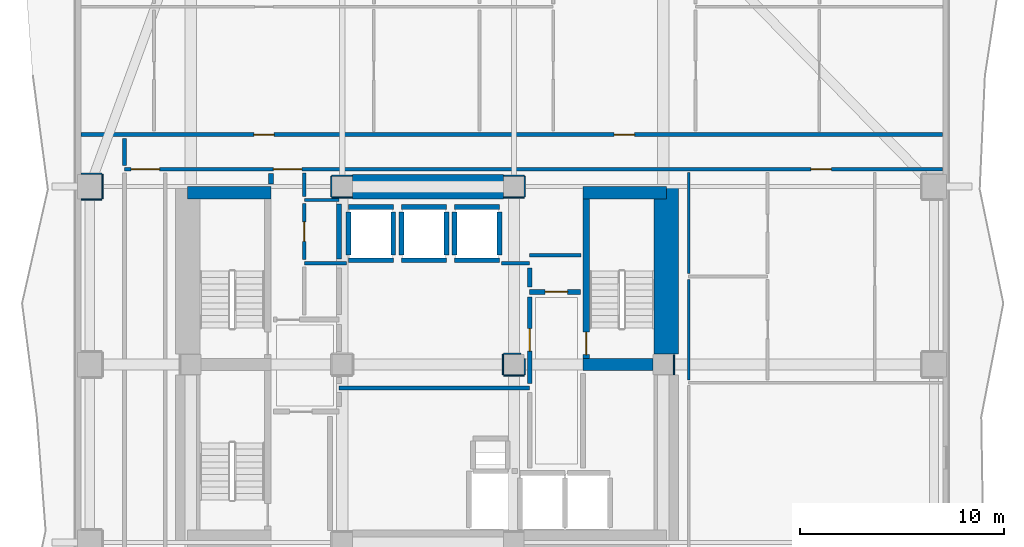
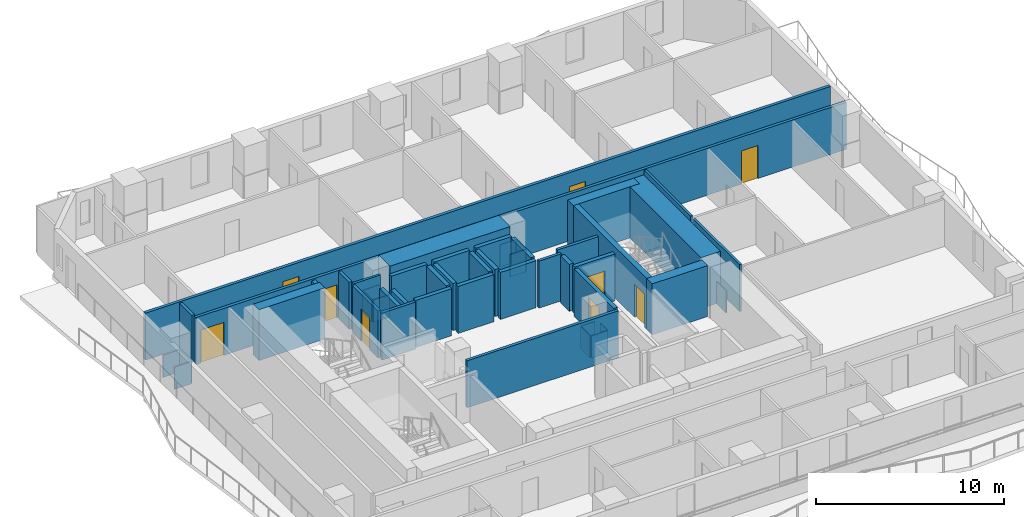
# One storey, part 4 of 11: 49 walls, 9 doors, 9 openings.
"""IFC4 building model written with IfcOpenShell, lengths in metres."""

from ifc_helpers import new_model, si_unit, direction, frame, frame_2d, origin, place, context, subcontext, project, spatial, rectangle, extrude, material, layer, layer_set, type_object, element, fill, save


model = new_model("IFC4")

# Units and contexts
model_context = context("Model", 3, precision=1e-05, world=origin(), true_north=direction((0.0, 1.0)))
body_context = subcontext(model_context, "Body", "Model", "MODEL_VIEW")
ifc_project = project(units=[si_unit("LENGTHUNIT", "METRE"), si_unit("AREAUNIT", "SQUARE_METRE"), si_unit("VOLUMEUNIT", "CUBIC_METRE"), si_unit("PLANEANGLEUNIT", "RADIAN"), si_unit("MASSUNIT", "GRAM", prefix="KILO")], contexts=[model_context])

# Site, building, storey
site_placement = place(None, origin())
site = spatial("IfcSite", under=ifc_project, at=site_placement, CompositionType="ELEMENT")
building_placement = place(site_placement, origin())
building = spatial("IfcBuilding", under=site, at=building_placement, Name="Solanera Arch Residences", CompositionType="ELEMENT")
storey_placement = place(building_placement, frame((0.0, 0.0, 75.1201171875)))
storey = spatial("IfcBuildingStorey", under=building, at=storey_placement, Name="L21", CompositionType="ELEMENT", Elevation=75.1201171875)

# Walls
ifc_material_1 = material(Name="Fire-Rated Gypsum Stud Partition", Category="gypsum")
ifc_layer_1 = layer(ifc_material_1, 0.06005859375)
ifc_layer_set_1 = layer_set([ifc_layer_1], Name="Fire-Rated Gypsum Stud Partition")
wall_type_1 = type_object("IfcWallType", Name="Column Acoustic Furring Wall 60", PredefinedType="PARTITIONING", material=ifc_layer_set_1)
for number, where, z_axis, x_axis, name in (
    (1, (20.300048828125, 38.867919921875, 0.0), (0.0, 0.0, 1.0), (1.0, 0.0, 0.0), "L21 Column Furring 3S"),
    (2, (20.300048828125, 39.931884765625, 0.0), (0.0, 0.0, 1.0), (1.0, 0.0, 0.0), "L21 Column Furring 3N"),
):
    element("IfcWall", number, at=place(storey_placement, frame(where, z_axis=z_axis, x_axis=x_axis)), inside=storey, type_object=wall_type_1, Name=name, PredefinedType="PARTITIONING", context=body_context, shape_type="SweptSolid", body=[
        extrude(rectangle(XDim=0.989990234375, YDim=0.06005859375, at=frame_2d((0.4951171875, 0.0))), origin(), (0.0, 0.0, 1.0), 1.449951171875),
    ])
wall_1_placement = place(storey_placement, frame((20.26806640625, 38.89990234375, 0.0), z_axis=(0.0, 0.0, 1.0), x_axis=(0.0, 1.0, 0.0)))
element("IfcWall", 3, at=wall_1_placement, inside=storey, type_object=wall_type_1, Name="L21 Column Furring 3W", PredefinedType="PARTITIONING", context=body_context, shape_type="SweptSolid", body=[
    extrude(rectangle(XDim=1.0, YDim=0.06005859375, at=frame_2d((0.5, 0.0))), origin(), (0.0, 0.0, 1.0), 1.449951171875),
])
for number, where, z_axis, x_axis, name in (
    (4, (28.7099609375, 38.867919921875, 0.0), (0.0, 0.0, 1.0), (1.0, 0.0, 0.0), "L21 Column Furring 4S"),
    (5, (28.7099609375, 39.931884765625, 0.0), (0.0, 0.0, 1.0), (1.0, 0.0, 0.0), "L21 Column Furring 4N"),
):
    element("IfcWall", number, at=place(storey_placement, frame(where, z_axis=z_axis, x_axis=x_axis)), inside=storey, type_object=wall_type_1, Name=name, PredefinedType="PARTITIONING", context=body_context, shape_type="SweptSolid", body=[
        extrude(rectangle(XDim=0.989990234375, YDim=0.06005859375, at=frame_2d((0.4951171875, 0.0))), origin(), (0.0, 0.0, 1.0), 1.449951171875),
    ])
wall_2_placement = place(storey_placement, frame((29.73193359375, 38.89990234375, 0.0), z_axis=(0.0, 0.0, 1.0), x_axis=(0.0, 1.0, 0.0)))
element("IfcWall", 6, at=wall_2_placement, inside=storey, type_object=wall_type_1, Name="L21 Column Furring 4E", PredefinedType="PARTITIONING", context=body_context, shape_type="SweptSolid", body=[
    extrude(rectangle(XDim=1.0, YDim=0.06005859375, at=frame_2d((0.5, 0.0))), origin(), (0.0, 0.0, 1.0), 1.449951171875),
])
wall_3_placement = place(storey_placement, frame((37.031982421875, 30.2099609375, 0.0), z_axis=(0.0, 0.0, 1.0), x_axis=(0.0, 1.0, 0.0)))
element("IfcWall", 7, at=wall_3_placement, inside=storey, type_object=wall_type_1, Name="L21 Column Furring 6E", PredefinedType="PARTITIONING", context=body_context, shape_type="SweptSolid", body=[
    extrude(rectangle(XDim=0.97998046875, YDim=0.06005859375, at=frame_2d((0.489990234375, 0.0))), origin(), (0.0, 0.0, 1.0), 1.449951171875),
])
wall_4_placement = place(storey_placement, frame((28.699951171875, 30.16796875, 0.0), z_axis=(0.0, 0.0, 1.0), x_axis=(1.0, 0.0, 0.0)))
element("IfcWall", 8, at=wall_4_placement, inside=storey, type_object=wall_type_1, Name="L21 Column Furring 8S", PredefinedType="PARTITIONING", context=body_context, shape_type="SweptSolid", body=[
    extrude(rectangle(XDim=1.0, YDim=0.06005859375, at=frame_2d((0.5, 0.0))), origin(), (0.0, 0.0, 1.0), 1.449951171875),
])
wall_5_placement = place(storey_placement, frame((28.699951171875, 31.23193359375, 0.0), z_axis=(0.0, 0.0, 1.0), x_axis=(1.0, 0.0, 0.0)))
element("IfcWall", 9, at=wall_5_placement, inside=storey, type_object=wall_type_1, Name="L21 Column Furring 8N", PredefinedType="PARTITIONING", context=body_context, shape_type="SweptSolid", body=[
    extrude(rectangle(XDim=0.841064453125, YDim=0.06005859375, at=frame_2d((0.42041015625, 0.0))), origin(), (0.0, 0.0, 1.0), 1.449951171875),
])
wall_6_placement = place(storey_placement, frame((28.66796875, 30.199951171875, 0.0), z_axis=(0.0, 0.0, 1.0), x_axis=(0.0, 1.0, 0.0)))
element("IfcWall", 10, at=wall_6_placement, inside=storey, type_object=wall_type_1, Name="L21 Column Furring 8W", PredefinedType="PARTITIONING", context=body_context, shape_type="SweptSolid", body=[
    extrude(rectangle(XDim=1.0, YDim=0.06005859375, at=frame_2d((0.5, 0.0))), origin(), (0.0, 0.0, 1.0), 1.449951171875),
])
wall_7_placement = place(storey_placement, frame((29.73193359375, 30.199951171875, 0.0), z_axis=(0.0, 0.0, 1.0), x_axis=(0.0, 1.0, 0.0)))
element("IfcWall", 11, at=wall_7_placement, inside=storey, type_object=wall_type_1, Name="L21 Column Furring 8E", PredefinedType="PARTITIONING", context=body_context, shape_type="SweptSolid", body=[
    extrude(rectangle(XDim=0.77197265625, YDim=0.06005859375, at=frame_2d((0.385986328125, 0.0))), origin(), (0.0, 0.0, 1.0), 1.449951171875),
])
for number, where, z_axis, x_axis, name in (
    (12, (8.030029296875, 38.76806640625, 0.0), (0.0, 0.0, 1.0), (1.0, 0.0, 0.0), "L21 Column Furring 21S"),
    (13, (8.030029296875, 40.031982421875, 0.0), (0.0, 0.0, 1.0), (1.0, 0.0, 0.0), "L21 Column Furring 21N"),
):
    element("IfcWall", number, at=place(storey_placement, frame(where, z_axis=z_axis, x_axis=x_axis)), inside=storey, type_object=wall_type_1, Name=name, PredefinedType="PARTITIONING", context=body_context, shape_type="SweptSolid", body=[
        extrude(rectangle(XDim=1.02001953125, YDim=0.06005859375, at=frame_2d((0.510009765625, 0.0))), origin(), (0.0, 0.0, 1.0), 1.449951171875),
    ])
wall_8_placement = place(storey_placement, frame((9.08203125, 38.800048828125, 0.0), z_axis=(0.0, 0.0, 1.0), x_axis=(0.0, 1.0, 0.0)))
element("IfcWall", 14, at=wall_8_placement, inside=storey, type_object=wall_type_1, Name="L21 Column Furring 21E", PredefinedType="PARTITIONING", context=body_context, shape_type="SweptSolid", body=[
    extrude(rectangle(XDim=1.199951171875, YDim=0.06005859375, at=frame_2d((0.60009765625, 0.0))), origin(), (0.0, 0.0, 1.0), 1.449951171875),
])
ifc_material_2 = material(Name="Concrete C55/67 (f'c = 60 MPa)", Category="concrete")
ifc_layer_2 = layer(ifc_material_2, 1.199951171875)
ifc_layer_set_2 = layer_set([ifc_layer_2], Name="Concrete C55/67 (f'c = 60 MPa)")
wall_type_2 = type_object("IfcWallType", Name="Core Shear Wall CW-1200", PredefinedType="SHEAR", material=ifc_layer_set_2)
wall_9_placement = place(storey_placement, frame((36.659912109375, 31.205078125, 0.0), z_axis=(0.0, 0.0, 1.0), x_axis=(0.0, 1.0, 0.0)))
element("IfcWall", 15, at=wall_9_placement, inside=storey, type_object=wall_type_2, Name="L21 East Core North Shear Wall", PredefinedType="SHEAR", context=body_context, shape_type="SweptSolid", body=[
    extrude(rectangle(XDim=8.19482421875, YDim=1.199951171875, at=frame_2d((4.097412109375, 0.0))), origin(), (0.0, 0.0, 1.0), 3.31982421875),
])
wall_10_placement = place(storey_placement, frame((21.304931640625, 39.39990234375, 0.0), z_axis=(0.0, 0.0, 1.0), x_axis=(1.0, 0.0, 0.0)))
element("IfcWall", 16, at=wall_10_placement, inside=storey, type_object=wall_type_2, Name="L21 Central North Core Shear Wall", PredefinedType="SHEAR", context=body_context, shape_type="SweptSolid", body=[
    extrude(rectangle(XDim=7.39013671875, YDim=1.199951171875, at=frame_2d((3.695068359375, 0.0))), origin(), (0.0, 0.0, 1.0), 3.31982421875),
])

# Wall, opening, door
ifc_material_3 = material(Name="Concrete C40/50 (f'c = 45 MPa)", Category="concrete")
ifc_layer_3 = layer(ifc_material_3, 0.320068359375)
ifc_layer_set_3 = layer_set([ifc_layer_3], Name="Concrete C40/50 (f'c = 45 MPa)")
wall_type_3 = type_object("IfcWallType", Name="Core Shear Wall CW-320", PredefinedType="SHEAR", material=ifc_layer_set_3)
wall_11_placement = place(storey_placement, frame((32.739990234375, 31.0, 0.0), z_axis=(0.0, 0.0, 1.0), x_axis=(0.0, 1.0, 0.0)))
wall_11 = element("IfcWall", 17, at=wall_11_placement, inside=storey, type_object=wall_type_3, Name="L21 Stair ST-T2 West Shear Wall", PredefinedType="SHEAR", context=body_context, shape_type="SweptSolid", body=[
    extrude(rectangle(XDim=7.800048828125, YDim=0.320068359375, at=frame_2d((3.89990234375, 0.0))), origin(), (0.0, 0.0, 1.0), 3.31982421875),
])
opening_1_placement = place(wall_11_placement, frame((0.18994140625, 0.0, 0.0)))
opening_1 = element("IfcOpeningElement", 18, at=opening_1_placement, cuts=wall_11, Name="Opening DF-01", PredefinedType="OPENING", context=body_context, shape_type="SweptSolid", body=[
    extrude(rectangle(XDim=1.10009765625, YDim=2.14990234375, at=frame_2d((0.550048828125, 1.074951171875))), frame((0.0, 0.169921875, 0.0), z_axis=(0.0, -1.0, 0.0), x_axis=(1.0, 0.0, 0.0)), (0.0, 0.0, 1.0), 0.3401),
])
ifc_material_4 = material(Name="Fire-Rated Architectural Hardwood", Category="wood")
door_type_1 = type_object("IfcDoorType", Name="Stair Exit Fire Door DF-01", OperationType="NOTDEFINED", PredefinedType="DOOR", material=ifc_material_4)
door_1_placement = place(opening_1_placement, origin())
door_1 = element("IfcDoor", 19, at=door_1_placement, inside=storey, type_object=door_type_1, Name="DR-L21-STAIR-ST-T2", OperationType="SINGLE_SWING_RIGHT", OverallHeight=2.14990234375, OverallWidth=1.10009765625, PredefinedType="DOOR", context=body_context, shape_type="SweptSolid", body=[
    extrude(rectangle(XDim=1.10009765625, YDim=2.14990234375, at=frame_2d((0.550048828125, 1.074951171875))), frame((0.0, 0.02490234375, 0.0), z_axis=(0.0, -1.0, 0.0), x_axis=(1.0, 0.0, 0.0)), (0.0, 0.0, 1.0), 0.050048828125),
])
fill(opening_1, door_1)

# Walls
ifc_material_5 = material(Name="Concrete C40/50 (f'c = 45 MPa)", Category="concrete")
ifc_layer_4 = layer(ifc_material_5, 0.60009765625)
ifc_layer_set_4 = layer_set([ifc_layer_4], Name="Concrete C40/50 (f'c = 45 MPa)")
wall_type_4 = type_object("IfcWallType", Name="Core Shear Wall CW-600", PredefinedType="SHEAR", material=ifc_layer_set_4)
wall_12_placement = place(storey_placement, frame((13.239990234375, 39.10009765625, 0.0), z_axis=(0.0, 0.0, 1.0), x_axis=(1.0, 0.0, 0.0)))
element("IfcWall", 20, at=wall_12_placement, inside=storey, type_object=wall_type_4, Name="L21 North-West Core Shear Wall", PredefinedType="SHEAR", context=body_context, shape_type="SweptSolid", body=[
    extrude(rectangle(XDim=4.080078125, YDim=0.60009765625, at=frame_2d((2.0400390625, 0.0))), origin(), (0.0, 0.0, 1.0), 3.31982421875),
])
wall_13_placement = place(storey_placement, frame((32.580078125, 39.10009765625, 0.0), z_axis=(0.0, 0.0, 1.0), x_axis=(1.0, 0.0, 0.0)))
element("IfcWall", 21, at=wall_13_placement, inside=storey, type_object=wall_type_4, Name="L21 North-East Core Shear Wall", PredefinedType="SHEAR", context=body_context, shape_type="SweptSolid", body=[
    extrude(rectangle(XDim=4.079833984375, YDim=0.60009765625, at=frame_2d((2.0400390625, 0.0))), origin(), (0.0, 0.0, 1.0), 3.31982421875),
])
wall_14_placement = place(storey_placement, frame((32.580078125, 30.699951171875, 0.0), z_axis=(0.0, 0.0, 1.0), x_axis=(1.0, 0.0, 0.0)))
element("IfcWall", 22, at=wall_14_placement, inside=storey, type_object=wall_type_4, Name="L21 East Stair Far-Landing Shear Wall", PredefinedType="SHEAR", context=body_context, shape_type="SweptSolid", body=[
    extrude(rectangle(XDim=3.4150390625, YDim=0.60009765625, at=frame_2d((1.70751953125, 0.0))), origin(), (0.0, 0.0, 1.0), 3.31982421875),
])
ifc_material_6 = material(Name="Autoclaved Aerated Concrete Blockwork", Category="masonry")
ifc_layer_5 = layer(ifc_material_6, 0.179931640625)
ifc_layer_set_5 = layer_set([ifc_layer_5], Name="Autoclaved Aerated Concrete Blockwork")
wall_type_5 = type_object("IfcWallType", Name="Corridor Fire Partition 180", PredefinedType="PARTITIONING", material=ifc_layer_set_5)
wall_15_placement = place(storey_placement, frame((20.64990234375, 29.550048828125, 0.0), z_axis=(0.0, 0.0, 1.0), x_axis=(1.0, 0.0, 0.0)))
element("IfcWall", 23, at=wall_15_placement, inside=storey, type_object=wall_type_5, Name="L21 Interior Partition H7", PredefinedType="PARTITIONING", context=body_context, shape_type="SweptSolid", body=[
    extrude(rectangle(XDim=9.3251953125, YDim=0.179931640625, at=frame_2d((4.66259765625, 0.0))), origin(), (0.0, 0.0, 1.0), 3.059814453125),
])
wall_16_placement = place(storey_placement, frame((18.949951171875, 35.64990234375, 0.0), z_axis=(0.0, 0.0, 1.0), x_axis=(1.0, 0.0, 0.0)))
element("IfcWall", 24, at=wall_16_placement, inside=storey, type_object=wall_type_5, Name="L21 Interior Partition H8 1", PredefinedType="PARTITIONING", context=body_context, shape_type="SweptSolid", body=[
    extrude(rectangle(XDim=2.05712890625, YDim=0.179931640625, at=frame_2d((1.028564453125, 0.0))), origin(), (0.0, 0.0, 1.0), 3.059814453125),
])
wall_17_placement = place(storey_placement, frame((28.593017578125, 35.64990234375, 0.0), z_axis=(0.0, 0.0, 1.0), x_axis=(1.0, 0.0, 0.0)))
element("IfcWall", 25, at=wall_17_placement, inside=storey, type_object=wall_type_5, Name="L21 Interior Partition H8 2", PredefinedType="PARTITIONING", context=body_context, shape_type="SweptSolid", body=[
    extrude(rectangle(XDim=1.382080078125, YDim=0.179931640625, at=frame_2d((0.69091796875, 0.0))), origin(), (0.0, 0.0, 1.0), 3.059814453125),
])
wall_18_placement = place(storey_placement, frame((29.97509765625, 36.050048828125, 0.0), z_axis=(0.0, 0.0, 1.0), x_axis=(1.0, 0.0, 0.0)))
element("IfcWall", 26, at=wall_18_placement, inside=storey, type_object=wall_type_5, Name="L21 Interior Partition H9", PredefinedType="PARTITIONING", context=body_context, shape_type="SweptSolid", body=[
    extrude(rectangle(XDim=2.5048828125, YDim=0.179931640625, at=frame_2d((1.25244140625, 0.0))), origin(), (0.0, 0.0, 1.0), 3.059814453125),
])

# Wall, openings, doors
wall_19_placement = place(storey_placement, frame((10.14990234375, 40.25, 0.0), z_axis=(0.0, 0.0, 1.0), x_axis=(1.0, 0.0, 0.0)))
wall_19 = element("IfcWall", 27, at=wall_19_placement, inside=storey, type_object=wall_type_5, Name="L21 Interior Partition H10", PredefinedType="PARTITIONING", context=body_context, shape_type="SweptSolid", body=[
    extrude(rectangle(XDim=40.023193359375, YDim=0.179931640625, at=frame_2d((20.01171875, 0.0))), origin(), (0.0, 0.0, 1.0), 3.059814453125),
])
opening_2_placement = place(wall_19_placement, frame((7.284912109375, 0.0, 0.0)))
opening_2 = element("IfcOpeningElement", 28, at=opening_2_placement, cuts=wall_19, Name="Opening DF-03", PredefinedType="OPENING", context=body_context, shape_type="SweptSolid", body=[
    extrude(rectangle(XDim=1.39990234375, YDim=2.14990234375, at=frame_2d((0.699951171875, 1.074951171875))), frame((0.0, 0.10009765625, 0.0), z_axis=(0.0, -1.0, 0.0), x_axis=(1.0, 0.0, 0.0)), (0.0, 0.0, 1.0), 0.1999),
])
opening_3_placement = place(wall_19_placement, frame((0.323974609375, 0.0, 0.0)))
opening_3 = element("IfcOpeningElement", 29, at=opening_3_placement, cuts=wall_19, Name="Opening DF-03", PredefinedType="OPENING", context=body_context, shape_type="SweptSolid", body=[
    extrude(rectangle(XDim=1.39990234375, YDim=2.14990234375, at=frame_2d((0.699951171875, 1.074951171875))), frame((0.0, 0.10009765625, 0.0), z_axis=(0.0, -1.0, 0.0), x_axis=(1.0, 0.0, 0.0)), (0.0, 0.0, 1.0), 0.1999),
])
opening_4_placement = place(wall_19_placement, frame((33.573974609375, 0.0, 0.0)))
opening_4 = element("IfcOpeningElement", 30, at=opening_4_placement, cuts=wall_19, Name="Opening DI-01", PredefinedType="OPENING", context=body_context, shape_type="SweptSolid", body=[
    extrude(rectangle(XDim=1.0, YDim=2.14990234375, at=frame_2d((0.5, 1.074951171875))), frame((0.0, 0.10009765625, 0.0), z_axis=(0.0, -1.0, 0.0), x_axis=(1.0, 0.0, 0.0)), (0.0, 0.0, 1.0), 0.1999),
])
ifc_material_7 = material(Name="Fire-Rated Architectural Hardwood", Category="wood")
door_type_2 = type_object("IfcDoorType", Name="Corridor Smoke Door DF-03", OperationType="NOTDEFINED", PredefinedType="DOOR", material=ifc_material_7)
door_2_placement = place(opening_2_placement, origin())
door_2 = element("IfcDoor", 31, at=door_2_placement, inside=storey, type_object=door_type_2, Name="DR-L21-IN-009", OperationType="SINGLE_SWING_LEFT", OverallHeight=2.14990234375, OverallWidth=1.39990234375, PredefinedType="DOOR", context=body_context, shape_type="SweptSolid", body=[
    extrude(rectangle(XDim=1.39990234375, YDim=2.14990234375, at=frame_2d((0.699951171875, 1.074951171875))), frame((0.0, 0.02490234375, 0.0), z_axis=(0.0, -1.0, 0.0), x_axis=(1.0, 0.0, 0.0)), (0.0, 0.0, 1.0), 0.050048828125),
])
fill(opening_2, door_2)
door_3_placement = place(opening_3_placement, origin())
door_3 = element("IfcDoor", 32, at=door_3_placement, inside=storey, type_object=door_type_2, Name="DR-L21-IN-011", OperationType="SINGLE_SWING_LEFT", OverallHeight=2.14990234375, OverallWidth=1.39990234375, PredefinedType="DOOR", context=body_context, shape_type="SweptSolid", body=[
    extrude(rectangle(XDim=1.39990234375, YDim=2.14990234375, at=frame_2d((0.699951171875, 1.074951171875))), frame((0.0, 0.02490234375, 0.0), z_axis=(0.0, -1.0, 0.0), x_axis=(1.0, 0.0, 0.0)), (0.0, 0.0, 1.0), 0.050048828125),
])
fill(opening_3, door_3)
ifc_material_8 = material(Name="Fire-Rated Architectural Hardwood", Category="wood")
door_type_3 = type_object("IfcDoorType", Name="Unit Entrance Fire Door DI-01", OperationType="NOTDEFINED", PredefinedType="DOOR", material=ifc_material_8)
door_4_placement = place(opening_4_placement, origin())
door_4 = element("IfcDoor", 33, at=door_4_placement, inside=storey, type_object=door_type_3, Name="DR-L21-IN-039", OperationType="SINGLE_SWING_LEFT", OverallHeight=2.14990234375, OverallWidth=1.0, PredefinedType="DOOR", context=body_context, shape_type="SweptSolid", body=[
    extrude(rectangle(XDim=1.0, YDim=2.14990234375, at=frame_2d((0.5, 1.074951171875))), frame((0.0, 0.02490234375, 0.0), z_axis=(0.0, -1.0, 0.0), x_axis=(1.0, 0.0, 0.0)), (0.0, 0.0, 1.0), 0.050048828125),
])
fill(opening_4, door_4)

wall_20_placement = place(storey_placement, frame((8.027099609375, 41.949951171875, 0.0), z_axis=(0.0, 0.0, 1.0), x_axis=(1.0, 0.0, 0.0)))
wall_20 = element("IfcWall", 34, at=wall_20_placement, inside=storey, type_object=wall_type_5, Name="L21 Interior Partition H11", PredefinedType="PARTITIONING", context=body_context, shape_type="SweptSolid", body=[
    extrude(rectangle(XDim=42.14599609375, YDim=0.179931640625, at=frame_2d((21.072998046875, 0.0))), origin(), (0.0, 0.0, 1.0), 3.059814453125),
])
opening_5_placement = place(wall_20_placement, frame((8.450927734375, 0.0, 0.0)))
opening_5 = element("IfcOpeningElement", 35, at=opening_5_placement, cuts=wall_20, Name="Opening DI-01", PredefinedType="OPENING", context=body_context, shape_type="SweptSolid", body=[
    extrude(rectangle(XDim=1.0, YDim=2.14990234375, at=frame_2d((0.5, 1.074951171875))), frame((0.0, 0.10009765625, 0.0), z_axis=(0.0, -1.0, 0.0), x_axis=(1.0, 0.0, 0.0)), (0.0, 0.0, 1.0), 0.1999),
])
opening_6_placement = place(wall_20_placement, frame((26.074951171875, 0.0, 0.0)))
opening_6 = element("IfcOpeningElement", 36, at=opening_6_placement, cuts=wall_20, Name="Opening DI-01", PredefinedType="OPENING", context=body_context, shape_type="SweptSolid", body=[
    extrude(rectangle(XDim=1.0, YDim=2.14990234375, at=frame_2d((0.5, 1.074951171875))), frame((0.0, 0.10009765625, 0.0), z_axis=(0.0, -1.0, 0.0), x_axis=(1.0, 0.0, 0.0)), (0.0, 0.0, 1.0), 0.1999),
])
door_5_placement = place(opening_5_placement, origin())
door_5 = element("IfcDoor", 37, at=door_5_placement, inside=storey, type_object=door_type_3, Name="DR-L21-IN-025", OperationType="SINGLE_SWING_LEFT", OverallHeight=2.14990234375, OverallWidth=1.0, PredefinedType="DOOR", context=body_context, shape_type="SweptSolid", body=[
    extrude(rectangle(XDim=1.0, YDim=2.14990234375, at=frame_2d((0.5, 1.074951171875))), frame((0.0, 0.02490234375, 0.0), z_axis=(0.0, -1.0, 0.0), x_axis=(1.0, 0.0, 0.0)), (0.0, 0.0, 1.0), 0.050048828125),
])
fill(opening_5, door_5)
door_6_placement = place(opening_6_placement, origin())
door_6 = element("IfcDoor", 38, at=door_6_placement, inside=storey, type_object=door_type_3, Name="DR-L21-IN-031", OperationType="SINGLE_SWING_LEFT", OverallHeight=2.14990234375, OverallWidth=1.0, PredefinedType="DOOR", context=body_context, shape_type="SweptSolid", body=[
    extrude(rectangle(XDim=1.0, YDim=2.14990234375, at=frame_2d((0.5, 1.074951171875))), frame((0.0, 0.02490234375, 0.0), z_axis=(0.0, -1.0, 0.0), x_axis=(1.0, 0.0, 0.0)), (0.0, 0.0, 1.0), 0.050048828125),
])
fill(opening_6, door_6)

# Wall
wall_21_placement = place(storey_placement, frame((10.14990234375, 40.43798828125, 0.0), z_axis=(0.0, 0.0, 1.0), x_axis=(0.0, 1.0, 0.0)))
element("IfcWall", 39, at=wall_21_placement, inside=storey, type_object=wall_type_5, Name="L21 Interior Partition V6 3", PredefinedType="PARTITIONING", context=body_context, shape_type="SweptSolid", body=[
    extrude(rectangle(XDim=1.323974609375, YDim=0.179931640625, at=frame_2d((0.662109375, 0.0))), origin(), (0.0, 0.0, 1.0), 3.059814453125),
])

# Wall, opening, door
wall_22_placement = place(storey_placement, frame((18.949951171875, 35.837890625, 0.0), z_axis=(0.0, 0.0, 1.0), x_axis=(0.0, 1.0, 0.0)))
wall_22 = element("IfcWall", 40, at=wall_22_placement, inside=storey, type_object=wall_type_5, Name="L21 Interior Partition V8 2", PredefinedType="PARTITIONING", context=body_context, shape_type="SweptSolid", body=[
    extrude(rectangle(XDim=2.744140625, YDim=0.179931640625, at=frame_2d((1.3720703125, 0.0))), origin(), (0.0, 0.0, 1.0), 3.059814453125),
])
opening_7_placement = place(wall_22_placement, frame((0.886962890625, 0.0, 0.0)))
opening_7 = element("IfcOpeningElement", 41, at=opening_7_placement, cuts=wall_22, Name="Opening DI-04", PredefinedType="OPENING", context=body_context, shape_type="SweptSolid", body=[
    extrude(rectangle(XDim=0.949951171875, YDim=2.10009765625, at=frame_2d((0.47509765625, 1.050048828125))), frame((0.0, 0.10009765625, 0.0), z_axis=(0.0, -1.0, 0.0), x_axis=(1.0, 0.0, 0.0)), (0.0, 0.0, 1.0), 0.1999),
])
ifc_material_9 = material(Name="Fire-Rated Architectural Hardwood", Category="wood")
door_type_4 = type_object("IfcDoorType", Name="Accessible Restroom Door DI-04", OperationType="NOTDEFINED", PredefinedType="DOOR", material=ifc_material_9)
door_7_placement = place(opening_7_placement, origin())
door_7 = element("IfcDoor", 42, at=door_7_placement, inside=storey, type_object=door_type_4, Name="DR-L21-IN-012", OperationType="SINGLE_SWING_RIGHT", OverallHeight=2.10009765625, OverallWidth=0.949951171875, PredefinedType="DOOR", context=body_context, shape_type="SweptSolid", body=[
    extrude(rectangle(XDim=0.949951171875, YDim=2.10009765625, at=frame_2d((0.47509765625, 1.050048828125))), frame((0.0, 0.02490234375, 0.0), z_axis=(0.0, -1.0, 0.0), x_axis=(1.0, 0.0, 0.0)), (0.0, 0.0, 1.0), 0.050048828125),
])
fill(opening_7, door_7)

# Walls
wall_23_placement = place(storey_placement, frame((18.949951171875, 38.91796875, 0.0), z_axis=(0.0, 0.0, 1.0), x_axis=(0.0, 1.0, 0.0)))
element("IfcWall", 43, at=wall_23_placement, inside=storey, type_object=wall_type_5, Name="L21 Interior Partition V8 3", PredefinedType="PARTITIONING", context=body_context, shape_type="SweptSolid", body=[
    extrude(rectangle(XDim=1.14404296875, YDim=0.179931640625, at=frame_2d((0.572021484375, 0.0))), origin(), (0.0, 0.0, 1.0), 3.059814453125),
])
ifc_material_10 = material(Name="Autoclaved Aerated Concrete Blockwork", Category="masonry")
ifc_layer_6 = layer(ifc_material_10, 0.239990234375)
ifc_layer_set_6 = layer_set([ifc_layer_6], Name="Autoclaved Aerated Concrete Blockwork")
wall_type_6 = type_object("IfcWallType", Name="Shaft Wall Fire-Rated 240", PredefinedType="PARTITIONING", material=ifc_layer_set_6)
for number, where, z_axis, x_axis, name in (
    (44, (21.10009765625, 35.800048828125, 0.0), (0.0, 0.0, 1.0), (1.0, 0.0, 0.0), "L21 Lift PL-L1 Hoistway Wall S"),
    (45, (21.10009765625, 38.39990234375, 0.0), (0.0, 0.0, 1.0), (1.0, 0.0, 0.0), "L21 Lift PL-L1 Hoistway Wall N"),
):
    element("IfcWall", number, at=place(storey_placement, frame(where, z_axis=z_axis, x_axis=x_axis)), inside=storey, type_object=wall_type_6, Name=name, PredefinedType="PARTITIONING", context=body_context, shape_type="SweptSolid", body=[
        extrude(rectangle(XDim=2.199951171875, YDim=0.239990234375, at=frame_2d((1.10009765625, 0.0))), origin(), (0.0, 0.0, 1.0), 3.059814453125),
    ])
wall_24_placement = place(storey_placement, frame((21.10009765625, 36.048095703125, 0.0), z_axis=(0.0, 0.0, 1.0), x_axis=(0.0, 1.0, 0.0)))
element("IfcWall", 46, at=wall_24_placement, inside=storey, type_object=wall_type_6, Name="L21 Lift PL-L1 Hoistway Wall W", PredefinedType="PARTITIONING", context=body_context, shape_type="SweptSolid", body=[
    extrude(rectangle(XDim=2.10400390625, YDim=0.239990234375, at=frame_2d((1.052001953125, 0.0))), origin(), (0.0, 0.0, 1.0), 2.294921875),
])
wall_25_placement = place(storey_placement, frame((23.300048828125, 36.048095703125, 0.0), z_axis=(0.0, 0.0, 1.0), x_axis=(0.0, 1.0, 0.0)))
element("IfcWall", 47, at=wall_25_placement, inside=storey, type_object=wall_type_6, Name="L21 Lift PL-L1 Hoistway Wall E", PredefinedType="PARTITIONING", context=body_context, shape_type="SweptSolid", body=[
    extrude(rectangle(XDim=2.10400390625, YDim=0.239990234375, at=frame_2d((1.052001953125, 0.0))), origin(), (0.0, 0.0, 1.0), 3.059814453125),
])
for number, where, z_axis, x_axis, name in (
    (48, (23.699951171875, 35.800048828125, 0.0), (0.0, 0.0, 1.0), (1.0, 0.0, 0.0), "L21 Lift PL-L2 Hoistway Wall S"),
    (49, (23.699951171875, 38.39990234375, 0.0), (0.0, 0.0, 1.0), (1.0, 0.0, 0.0), "L21 Lift PL-L2 Hoistway Wall N"),
):
    element("IfcWall", number, at=place(storey_placement, frame(where, z_axis=z_axis, x_axis=x_axis)), inside=storey, type_object=wall_type_6, Name=name, PredefinedType="PARTITIONING", context=body_context, shape_type="SweptSolid", body=[
        extrude(rectangle(XDim=2.199951171875, YDim=0.239990234375, at=frame_2d((1.10009765625, 0.0))), origin(), (0.0, 0.0, 1.0), 3.059814453125),
    ])
for number, where, z_axis, x_axis, name in (
    (50, (23.699951171875, 36.048095703125, 0.0), (0.0, 0.0, 1.0), (0.0, 1.0, 0.0), "L21 Lift PL-L2 Hoistway Wall W"),
    (51, (25.89990234375, 36.048095703125, 0.0), (0.0, 0.0, 1.0), (0.0, 1.0, 0.0), "L21 Lift PL-L2 Hoistway Wall E"),
):
    element("IfcWall", number, at=place(storey_placement, frame(where, z_axis=z_axis, x_axis=x_axis)), inside=storey, type_object=wall_type_6, Name=name, PredefinedType="PARTITIONING", context=body_context, shape_type="SweptSolid", body=[
        extrude(rectangle(XDim=2.10400390625, YDim=0.239990234375, at=frame_2d((1.052001953125, 0.0))), origin(), (0.0, 0.0, 1.0), 3.059814453125),
    ])
for number, where, z_axis, x_axis, name in (
    (52, (26.300048828125, 35.800048828125, 0.0), (0.0, 0.0, 1.0), (1.0, 0.0, 0.0), "L21 Lift PL-L3 Hoistway Wall S"),
    (53, (26.300048828125, 38.39990234375, 0.0), (0.0, 0.0, 1.0), (1.0, 0.0, 0.0), "L21 Lift PL-L3 Hoistway Wall N"),
):
    element("IfcWall", number, at=place(storey_placement, frame(where, z_axis=z_axis, x_axis=x_axis)), inside=storey, type_object=wall_type_6, Name=name, PredefinedType="PARTITIONING", context=body_context, shape_type="SweptSolid", body=[
        extrude(rectangle(XDim=2.199951171875, YDim=0.239990234375, at=frame_2d((1.10009765625, 0.0))), origin(), (0.0, 0.0, 1.0), 3.059814453125),
    ])
for number, where, z_axis, x_axis, name in (
    (54, (26.300048828125, 36.048095703125, 0.0), (0.0, 0.0, 1.0), (0.0, 1.0, 0.0), "L21 Lift PL-L3 Hoistway Wall W"),
    (55, (28.5, 36.048095703125, 0.0), (0.0, 0.0, 1.0), (0.0, 1.0, 0.0), "L21 Lift PL-L3 Hoistway Wall E"),
):
    element("IfcWall", number, at=place(storey_placement, frame(where, z_axis=z_axis, x_axis=x_axis)), inside=storey, type_object=wall_type_6, Name=name, PredefinedType="PARTITIONING", context=body_context, shape_type="SweptSolid", body=[
        extrude(rectangle(XDim=2.10400390625, YDim=0.239990234375, at=frame_2d((1.052001953125, 0.0))), origin(), (0.0, 0.0, 1.0), 3.059814453125),
    ])

# Wall, opening, door
wall_26_placement = place(storey_placement, frame((29.97509765625, 34.25, 0.0), z_axis=(0.0, 0.0, 1.0), x_axis=(1.0, 0.0, 0.0)))
wall_26 = element("IfcWall", 56, at=wall_26_placement, inside=storey, type_object=wall_type_6, Name="L21 Interior Partition H5", PredefinedType="PARTITIONING", context=body_context, shape_type="SweptSolid", body=[
    extrude(rectangle(XDim=2.474853515625, YDim=0.239990234375, at=frame_2d((1.2373046875, 0.0))), origin(), (0.0, 0.0, 1.0), 3.059814453125),
])
opening_8_placement = place(wall_26_placement, frame((0.751953125, 0.0, 0.0)))
opening_8 = element("IfcOpeningElement", 57, at=opening_8_placement, cuts=wall_26, Name="Opening DF-02", PredefinedType="OPENING", context=body_context, shape_type="SweptSolid", body=[
    extrude(rectangle(XDim=1.10009765625, YDim=2.14990234375, at=frame_2d((0.550048828125, 1.074951171875))), frame((0.0, 0.1298828125, 0.0), z_axis=(0.0, -1.0, 0.0), x_axis=(1.0, 0.0, 0.0)), (0.0, 0.0, 1.0), 0.26),
])
ifc_material_11 = material(Name="Fire-Rated Architectural Hardwood", Category="wood")
door_type_5 = type_object("IfcDoorType", Name="Firefighting Lobby Fire Door DF-02", OperationType="NOTDEFINED", PredefinedType="DOOR", material=ifc_material_11)
door_8_placement = place(opening_8_placement, origin())
door_8 = element("IfcDoor", 58, at=door_8_placement, inside=storey, type_object=door_type_5, Name="DR-L21-IN-007", OperationType="SINGLE_SWING_LEFT", OverallHeight=2.14990234375, OverallWidth=1.10009765625, PredefinedType="DOOR", context=body_context, shape_type="SweptSolid", body=[
    extrude(rectangle(XDim=1.10009765625, YDim=2.14990234375, at=frame_2d((0.550048828125, 1.074951171875))), frame((0.0, 0.02490234375, 0.0), z_axis=(0.0, -1.0, 0.0), x_axis=(1.0, 0.0, 0.0)), (0.0, 0.0, 1.0), 0.050048828125),
])
fill(opening_8, door_8)

# Walls
wall_27_placement = place(storey_placement, frame((17.320068359375, 39.530029296875, 0.0), z_axis=(0.0, 0.0, 1.0), x_axis=(0.0, 1.0, 0.0)))
element("IfcWall", 59, at=wall_27_placement, inside=storey, type_object=wall_type_6, Name="L21 Interior Partition V1", PredefinedType="PARTITIONING", context=body_context, shape_type="SweptSolid", body=[
    extrude(rectangle(XDim=0.501953125, YDim=0.239990234375, at=frame_2d((0.2509765625, 0.0))), origin(), (0.0, 0.0, 1.0), 3.059814453125),
])
wall_28_placement = place(storey_placement, frame((20.64990234375, 35.867919921875, 0.0), z_axis=(0.0, 0.0, 1.0), x_axis=(0.0, 1.0, 0.0)))
element("IfcWall", 60, at=wall_28_placement, inside=storey, type_object=wall_type_6, Name="L21 Interior Partition V3 5", PredefinedType="PARTITIONING", context=body_context, shape_type="SweptSolid", body=[
    extrude(rectangle(XDim=2.68408203125, YDim=0.239990234375, at=frame_2d((1.342041015625, 0.0))), origin(), (0.0, 0.0, 1.0), 2.294921875),
])

# Wall, opening, door
wall_29_placement = place(storey_placement, frame((29.97509765625, 29.76806640625, 0.0), z_axis=(0.0, 0.0, 1.0), x_axis=(0.0, 1.0, 0.0)))
wall_29 = element("IfcWall", 61, at=wall_29_placement, inside=storey, type_object=wall_type_6, Name="L21 Interior Partition V4 2", PredefinedType="PARTITIONING", context=body_context, shape_type="SweptSolid", body=[
    extrude(rectangle(XDim=4.23388671875, YDim=0.239990234375, at=frame_2d((2.116943359375, 0.0))), origin(), (0.0, 0.0, 1.0), 3.059814453125),
])
opening_9_placement = place(wall_29_placement, frame((1.58203125, 0.0, 0.0)))
opening_9 = element("IfcOpeningElement", 62, at=opening_9_placement, cuts=wall_29, Name="Opening DF-02", PredefinedType="OPENING", context=body_context, shape_type="SweptSolid", body=[
    extrude(rectangle(XDim=1.10009765625, YDim=2.14990234375, at=frame_2d((0.550048828125, 1.074951171875))), frame((0.0, 0.1298828125, 0.0), z_axis=(0.0, -1.0, 0.0), x_axis=(1.0, 0.0, 0.0)), (0.0, 0.0, 1.0), 0.26),
])
door_9_placement = place(opening_9_placement, origin())
door_9 = element("IfcDoor", 63, at=door_9_placement, inside=storey, type_object=door_type_5, Name="DR-L21-IN-006", OperationType="SINGLE_SWING_RIGHT", OverallHeight=2.14990234375, OverallWidth=1.10009765625, PredefinedType="DOOR", context=body_context, shape_type="SweptSolid", body=[
    extrude(rectangle(XDim=1.10009765625, YDim=2.14990234375, at=frame_2d((0.550048828125, 1.074951171875))), frame((0.0, 0.02490234375, 0.0), z_axis=(0.0, -1.0, 0.0), x_axis=(1.0, 0.0, 0.0)), (0.0, 0.0, 1.0), 0.050048828125),
])
fill(opening_9, door_9)

# Walls
wall_30_placement = place(storey_placement, frame((29.97509765625, 34.498046875, 0.0), z_axis=(0.0, 0.0, 1.0), x_axis=(0.0, 1.0, 0.0)))
element("IfcWall", 64, at=wall_30_placement, inside=storey, type_object=wall_type_6, Name="L21 Interior Partition V4 3", PredefinedType="PARTITIONING", context=body_context, shape_type="SweptSolid", body=[
    extrude(rectangle(XDim=0.933837890625, YDim=0.239990234375, at=frame_2d((0.466796875, 0.0))), origin(), (0.0, 0.0, 1.0), 3.059814453125),
])
ifc_material_12 = material(Name="Autoclaved Aerated Concrete Blockwork", Category="masonry")
ifc_layer_7 = layer(ifc_material_12, 0.139892578125)
ifc_layer_set_7 = layer_set([ifc_layer_7], Name="Autoclaved Aerated Concrete Blockwork")
wall_type_7 = type_object("IfcWallType", Name="Wet-Room Partition 140", PredefinedType="PARTITIONING", material=ifc_layer_set_7)
wall_31_placement = place(storey_placement, frame((18.949951171875, 38.75, 0.0), z_axis=(0.0, 0.0, 1.0), x_axis=(1.0, 0.0, 0.0)))
element("IfcWall", 65, at=wall_31_placement, inside=storey, type_object=wall_type_7, Name="L21 Interior Partition H16", PredefinedType="PARTITIONING", context=body_context, shape_type="SweptSolid", body=[
    extrude(rectangle(XDim=1.699951171875, YDim=0.139892578125, at=frame_2d((0.85009765625, 0.0))), origin(), (0.0, 0.0, 1.0), 3.059814453125),
])
wall_32_placement = place(storey_placement, frame((37.75, 29.93798828125, 0.0), z_axis=(0.0, 0.0, 1.0), x_axis=(0.0, 1.0, 0.0)))
element("IfcWall", 66, at=wall_32_placement, inside=storey, type_object=wall_type_7, Name="L21 Interior Partition V18 2", PredefinedType="PARTITIONING", context=body_context, shape_type="SweptSolid", body=[
    extrude(rectangle(XDim=4.9140625, YDim=0.139892578125, at=frame_2d((2.45703125, 0.0))), origin(), (0.0, 0.0, 1.0), 3.059814453125),
])
wall_33_placement = place(storey_placement, frame((37.75, 35.14794921875, 0.0), z_axis=(0.0, 0.0, 1.0), x_axis=(0.0, 1.0, 0.0)))
element("IfcWall", 67, at=wall_33_placement, inside=storey, type_object=wall_type_7, Name="L21 Interior Partition V18 3", PredefinedType="PARTITIONING", context=body_context, shape_type="SweptSolid", body=[
    extrude(rectangle(XDim=4.93408203125, YDim=0.139892578125, at=frame_2d((2.467041015625, 0.0))), origin(), (0.0, 0.0, 1.0), 3.059814453125),
])

save(model, "model.ifc")
